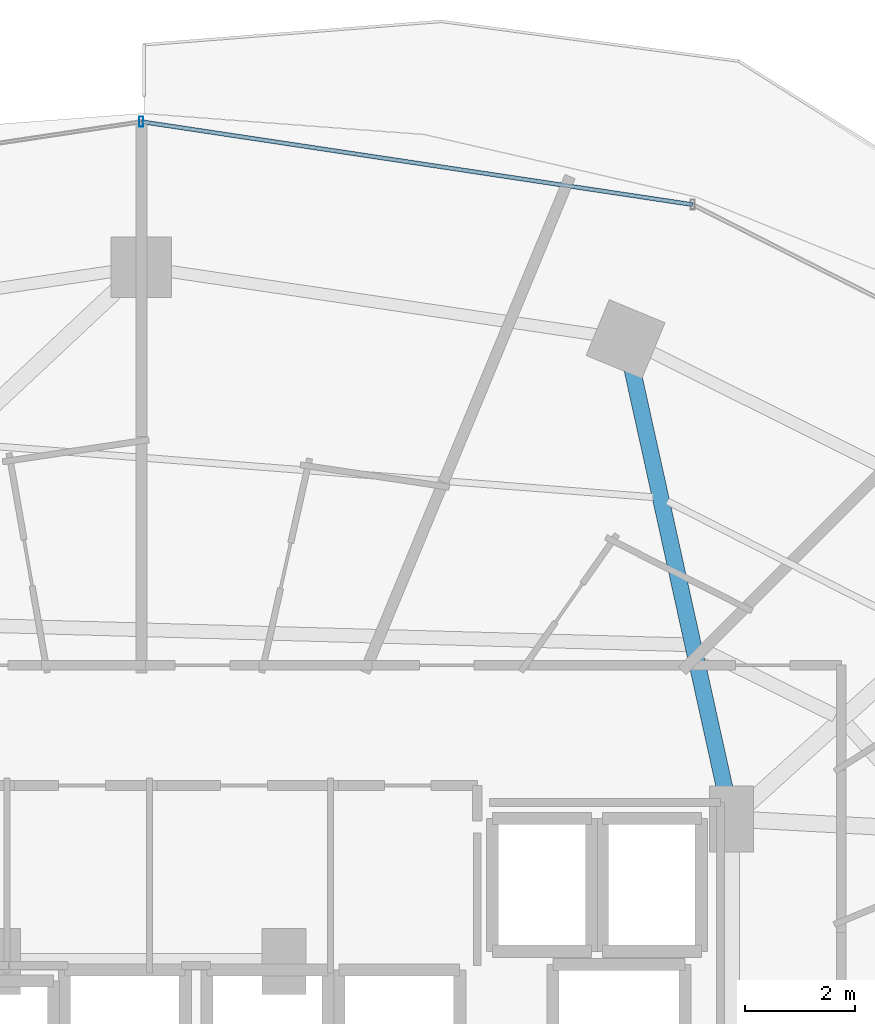
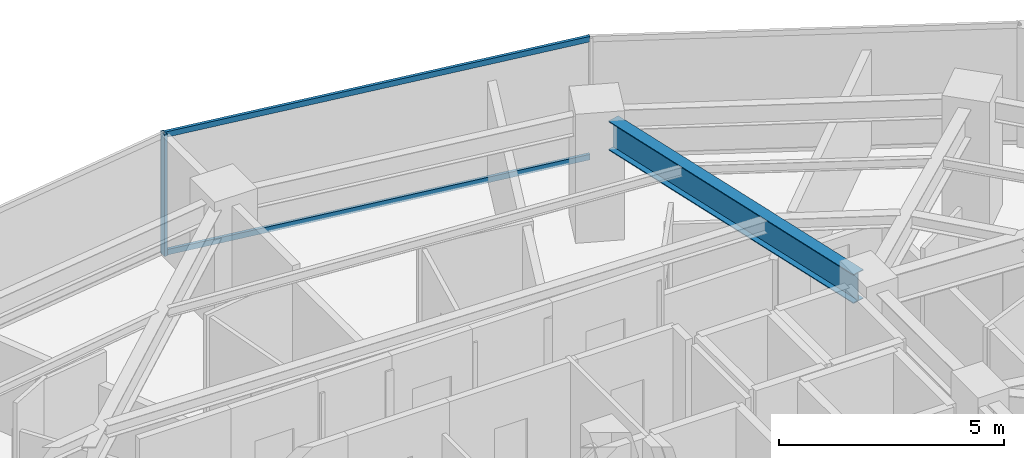
# One storey, part 21 of 31: 3 members, 1 beam, 1 element without a shape of its own.
"""IFC4 building model written with IfcOpenShell, lengths in metres."""

from ifc_helpers import new_model, si_unit, direction, frame, origin, origin_2d, place, context, subcontext, project, spatial, hollow_rectangle, i_section, extrude, material, material_profile, profile_set, type_object, element, aggregate, save


model = new_model("IFC4")

# Units and contexts
model_context = context("Model", 3, precision=1e-05, world=origin(), true_north=direction((0.0, 1.0)))
body_context = subcontext(model_context, "Body", "Model", "MODEL_VIEW")
ifc_project = project(units=[si_unit("LENGTHUNIT", "METRE"), si_unit("AREAUNIT", "SQUARE_METRE"), si_unit("VOLUMEUNIT", "CUBIC_METRE"), si_unit("PLANEANGLEUNIT", "RADIAN"), si_unit("MASSUNIT", "GRAM", prefix="KILO")], contexts=[model_context])

# Site, building, storey
site_placement = place(None, origin())
site = spatial("IfcSite", under=ifc_project, at=site_placement, CompositionType="ELEMENT")
building_placement = place(site_placement, origin())
building = spatial("IfcBuilding", under=site, at=building_placement, Name="Vorneva Point Tower", CompositionType="ELEMENT")
storey_placement = place(building_placement, frame((0.0, 0.0, 99.800048828125)))
storey = spatial("IfcBuildingStorey", under=building, at=storey_placement, Name="L26", CompositionType="ELEMENT", Elevation=99.800048828125)

# Beam
ifc_material_1 = material(Name="Steel S355", Category="steel")
ifc_material_profile_1 = material_profile(ifc_material_1, i_section(OverallWidth=0.300048828125, OverallDepth=0.7880859375, WebThickness=0.014404296875, FlangeThickness=0.02197265625, at=origin_2d()), Name="80Sh1")
ifc_profile_set_1 = profile_set([ifc_material_profile_1], Name="Steel S355")
beam_type = type_object("IfcBeamType", Name="BM-GRD-80Sh1", PredefinedType="USERDEFINED", material=ifc_profile_set_1)
beam_placement = place(storey_placement, frame((46.936767578125, 41.365234375, 2.845947265625), z_axis=(0.215530944428, -0.976497010745, 0.0), x_axis=(0.976497010745, 0.215530944428, 0.0)))
element("IfcBeam", 1, at=beam_placement, inside=storey, type_object=beam_type, Name="L26 Radial Primary Girder 04", ObjectType="GIRDER", PredefinedType="USERDEFINED", context=body_context, shape_type="SweptSolid", body=[
    extrude(i_section(OverallWidth=0.300048828125, OverallDepth=0.7880859375, WebThickness=0.014404296875, FlangeThickness=0.02197265625, at=origin_2d()), origin(), (0.0, 0.0, 1.0), 8.072998046875),
])

# Curtain wall, members
ifc_material_2 = material(Name="Pale anodised aluminium", Category="aluminium")
curtain_wall_type = type_object("IfcCurtainWallType", Name="CW-HTL-SYS", PredefinedType="NOTDEFINED", material=ifc_material_2)
curtain_wall_placement = place(storey_placement, origin())
curtain_wall = element("IfcCurtainWall", 2, at=curtain_wall_placement, inside=storey, type_object=curtain_wall_type, Name="L26 Unitised Curtain Wall CW-L26-R02", PredefinedType="NOTDEFINED")
ifc_material_profile_2 = material_profile(ifc_material_2, hollow_rectangle(XDim=0.074951171875, YDim=0.179931640625, WallThickness=0.00390625, at=origin_2d()), Name="AL-MUL 180x75x4")
ifc_profile_set_2 = profile_set([ifc_material_profile_2], Name="Pale anodised aluminium")
member_type_1 = type_object("IfcMemberType", Name="CW-MUL-180", PredefinedType="MULLION", material=ifc_profile_set_2)
member_1_placement = place(storey_placement, frame((38.0, 45.85009765625, -0.0400390625), z_axis=(0.0, 0.0, 1.0), x_axis=(1.0, 0.0, 0.0)))
member_1 = element("IfcMember", 3, at=member_1_placement, type_object=member_type_1, Name="CW-L26-R02 Mullion 03", PredefinedType="MULLION", context=body_context, shape_type="SweptSolid", body=[
    extrude(hollow_rectangle(XDim=0.074951171875, YDim=0.179931640625, WallThickness=0.00390625, at=origin_2d()), origin(), (0.0, 0.0, 1.0), 3.31005859375),
])
ifc_material_profile_3 = material_profile(ifc_material_2, hollow_rectangle(XDim=0.074951171875, YDim=0.14990234375, WallThickness=0.00390625, at=origin_2d()), Name="AL-TRN 150x75x4")
ifc_profile_set_3 = profile_set([ifc_material_profile_3], Name="Pale anodised aluminium")
member_type_2 = type_object("IfcMemberType", Name="CW-TRN-150", PredefinedType="USERDEFINED", material=ifc_profile_set_3)
member_2_placement = place(storey_placement, frame((48.04541015625, 44.339111328125, 0.02001953125), z_axis=(-0.988875982167, 0.148742367512, 0.0), x_axis=(-0.148742367512, -0.988875982167, 0.0)))
member_2 = element("IfcMember", 4, at=member_2_placement, type_object=member_type_2, Name="CW-L26-R02 Transom 02.1", ObjectType="TRANSOM", PredefinedType="USERDEFINED", context=body_context, shape_type="SweptSolid", body=[
    extrude(hollow_rectangle(XDim=0.074951171875, YDim=0.14990234375, WallThickness=0.00390625, at=origin_2d()), origin(), (0.0, 0.0, 1.0), 10.158447265625),
])
member_3_placement = place(storey_placement, frame((48.04541015625, 44.339111328125, 3.219970703125), z_axis=(-0.988875982167, 0.148742367512, 0.0), x_axis=(-0.148742367512, -0.988875982167, 0.0)))
member_3 = element("IfcMember", 5, at=member_3_placement, type_object=member_type_2, Name="CW-L26-R02 Transom 02.2", ObjectType="TRANSOM", PredefinedType="USERDEFINED", context=body_context, shape_type="SweptSolid", body=[
    extrude(hollow_rectangle(XDim=0.074951171875, YDim=0.14990234375, WallThickness=0.00390625, at=origin_2d()), origin(), (0.0, 0.0, 1.0), 10.158447265625),
])
aggregate(curtain_wall, [member_1, member_2, member_3])

save(model, "model.ifc")
